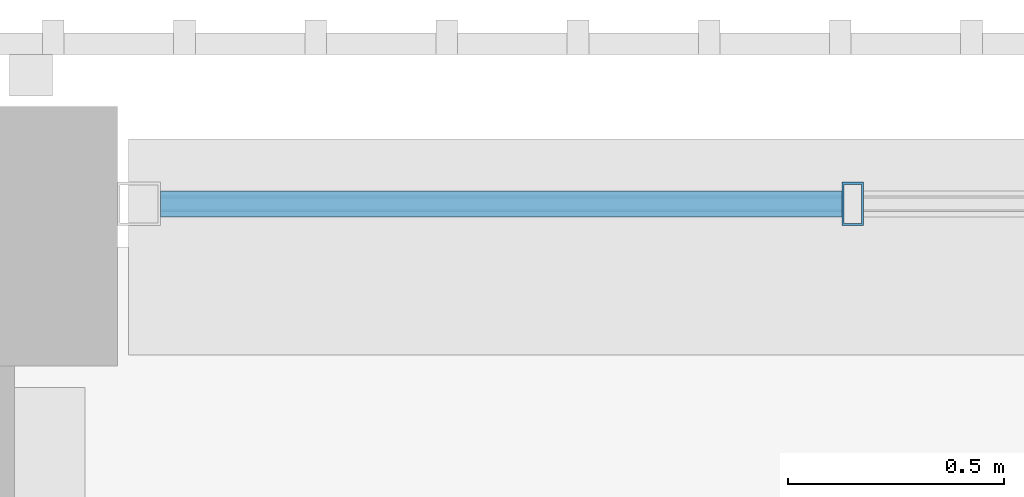
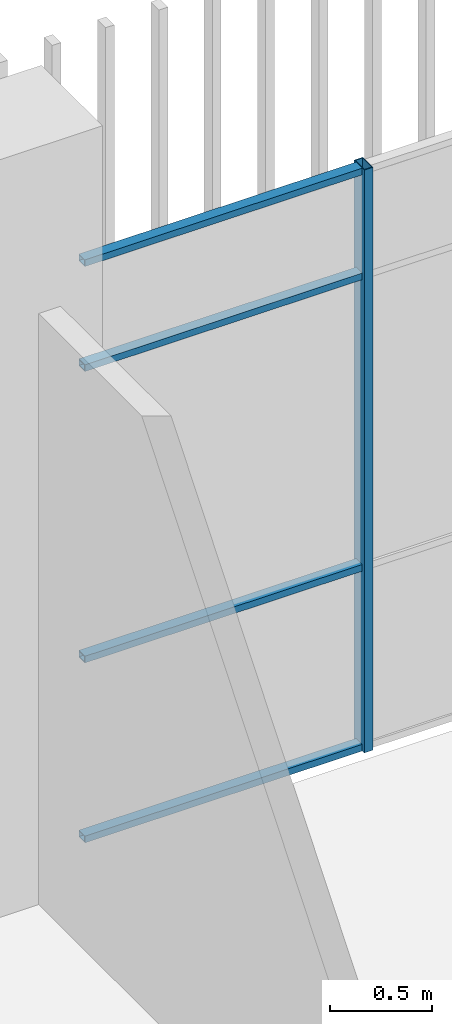
# One storey, part 31 of 126: 5 members, 1 element without a shape of its own.
"""IFC4 building model written with IfcOpenShell, lengths in metres."""

from ifc_helpers import new_model, si_unit, direction, frame, origin, origin_2d, place, context, subcontext, project, spatial, hollow_rectangle, extrude, material, layer, layer_set, material_profile, profile_set, type_object, element, aggregate, save


model = new_model("IFC4")

# Units and contexts
model_context = context("Model", 3, precision=1e-05, world=origin(), true_north=direction((0.0, 1.0)))
body_context = subcontext(model_context, "Body", "Model", "MODEL_VIEW")
ifc_project = project(units=[si_unit("LENGTHUNIT", "METRE"), si_unit("AREAUNIT", "SQUARE_METRE"), si_unit("VOLUMEUNIT", "CUBIC_METRE"), si_unit("PLANEANGLEUNIT", "RADIAN"), si_unit("MASSUNIT", "GRAM", prefix="KILO")], contexts=[model_context])

# Site, building, storey
site_placement = place(None, origin())
site = spatial("IfcSite", under=ifc_project, at=site_placement, CompositionType="ELEMENT")
building_placement = place(site_placement, origin())
building = spatial("IfcBuilding", under=site, at=building_placement, Name="Shirokan Park Arena", CompositionType="ELEMENT")
storey_placement = place(building_placement, frame((0.0, 0.0, 6.3701171875)))
storey = spatial("IfcBuildingStorey", under=building, at=storey_placement, Name="L01", CompositionType="ELEMENT", Elevation=6.3701171875)

# Curtain wall, members
ifc_material_1 = material(Name="Steel and glass curtain wall", Category="steel")
ifc_layer = layer(ifc_material_1, 0.10009765625)
ifc_layer_set = layer_set([ifc_layer], Name="Steel and glass curtain wall 100 mm")
curtain_wall_type = type_object("IfcCurtainWallType", Name="Curtain wall sheltered bay 100", PredefinedType="NOTDEFINED", material=ifc_layer_set)
curtain_wall_placement = place(storey_placement, origin())
curtain_wall = element("IfcCurtainWall", 1, at=curtain_wall_placement, inside=storey, type_object=curtain_wall_type, Name="Curtain wall north bay 11 L01", PredefinedType="NOTDEFINED")
ifc_material_2 = material(Name="Steel S355", Category="steel")
ifc_material_profile_1 = material_profile(ifc_material_2, hollow_rectangle(XDim=0.10009765625, YDim=0.050048828125, WallThickness=0.0048828125, at=origin_2d()), Name="RHS 100x50x5")
ifc_profile_set_1 = profile_set([ifc_material_profile_1], Name="Steel S355")
member_type_1 = type_object("IfcMemberType", Name="Mullion RHS 100x50x5", PredefinedType="MULLION", material=ifc_profile_set_1)
member_1_placement = place(storey_placement, frame((47.5, 109.300048828125, 0.0), z_axis=(0.0, 0.0, 1.0), x_axis=(0.0, -1.0, 0.0)))
member_1 = element("IfcMember", 2, at=member_1_placement, type_object=member_type_1, Name="CW2 mullion 5", PredefinedType="MULLION", context=body_context, shape_type="SweptSolid", body=[
    extrude(hollow_rectangle(XDim=0.10009765625, YDim=0.050048828125, WallThickness=0.0048828125, at=origin_2d()), origin(), (0.0, 0.0, 1.0), 3.5),
])
ifc_material_profile_2 = material_profile(ifc_material_2, hollow_rectangle(XDim=0.06005859375, YDim=0.0400390625, WallThickness=0.00390625, at=origin_2d()), Name="RHS 60x40x4")
ifc_profile_set_2 = profile_set([ifc_material_profile_2], Name="Steel S355")
member_type_2 = type_object("IfcMemberType", Name="Transom RHS 60x40x4", PredefinedType="MULLION", material=ifc_profile_set_2)
member_2_placement = place(storey_placement, frame((47.47509765625, 109.300048828125, 0.019775390625), z_axis=(-1.0, 0.0, 0.0), x_axis=(0.0, -1.0, 0.0)))
member_2 = element("IfcMember", 3, at=member_2_placement, type_object=member_type_2, Name="CW2 transom 5.1", PredefinedType="MULLION", context=body_context, shape_type="SweptSolid", body=[
    extrude(hollow_rectangle(XDim=0.06005859375, YDim=0.0400390625, WallThickness=0.00390625, at=origin_2d()), origin(), (0.0, 0.0, 1.0), 1.5751953125),
])
member_3_placement = place(storey_placement, frame((47.47509765625, 109.300048828125, 1.099853515625), z_axis=(-1.0, 0.0, 0.0), x_axis=(0.0, -1.0, 0.0)))
member_3 = element("IfcMember", 4, at=member_3_placement, type_object=member_type_2, Name="CW2 transom 5.2", PredefinedType="MULLION", context=body_context, shape_type="SweptSolid", body=[
    extrude(hollow_rectangle(XDim=0.06005859375, YDim=0.0400390625, WallThickness=0.00390625, at=origin_2d()), origin(), (0.0, 0.0, 1.0), 1.5751953125),
])
member_4_placement = place(storey_placement, frame((47.47509765625, 109.300048828125, 2.849853515625), z_axis=(-1.0, 0.0, 0.0), x_axis=(0.0, -1.0, 0.0)))
member_4 = element("IfcMember", 5, at=member_4_placement, type_object=member_type_2, Name="CW2 transom 5.3", PredefinedType="MULLION", context=body_context, shape_type="SweptSolid", body=[
    extrude(hollow_rectangle(XDim=0.06005859375, YDim=0.0400390625, WallThickness=0.00390625, at=origin_2d()), origin(), (0.0, 0.0, 1.0), 1.5751953125),
])
member_5_placement = place(storey_placement, frame((47.47509765625, 109.300048828125, 3.47998046875), z_axis=(-1.0, 0.0, 0.0), x_axis=(0.0, -1.0, 0.0)))
member_5 = element("IfcMember", 6, at=member_5_placement, type_object=member_type_2, Name="CW2 transom 5.4", PredefinedType="MULLION", context=body_context, shape_type="SweptSolid", body=[
    extrude(hollow_rectangle(XDim=0.06005859375, YDim=0.0400390625, WallThickness=0.00390625, at=origin_2d()), origin(), (0.0, 0.0, 1.0), 1.5751953125),
])
aggregate(curtain_wall, [member_1, member_2, member_3, member_4, member_5])

save(model, "model.ifc")
